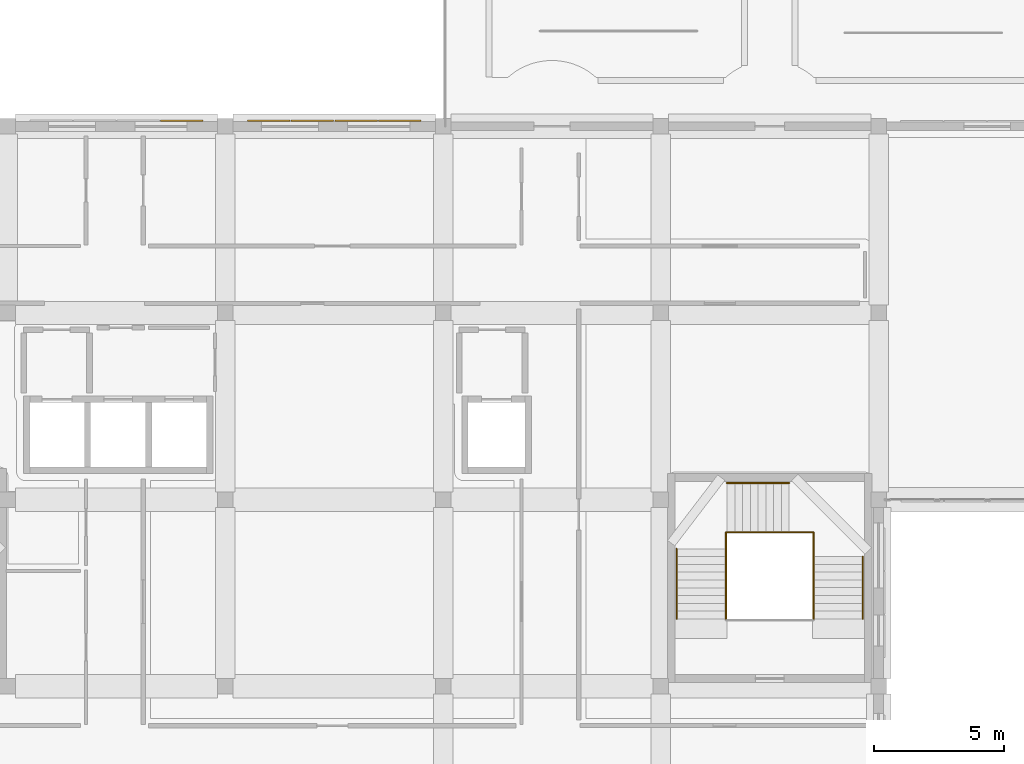
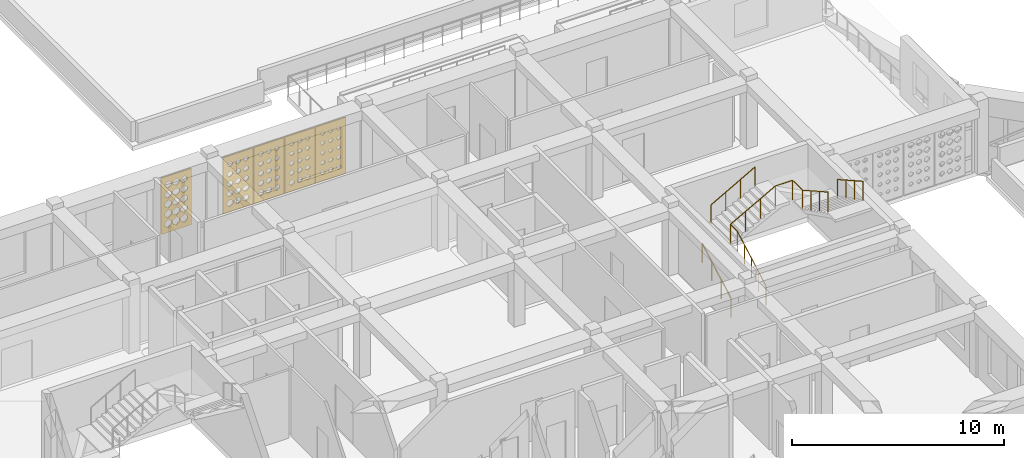
# One storey, part 44 of 48: 6 railings, 5 coverings.
"""IFC4 building model written with IfcOpenShell, lengths in metres."""

from ifc_helpers import new_model, si_unit, derived_unit, direction, frame, origin, origin_2d, place, context, subcontext, project, spatial, polyline, circle, outline, extrude, material, layer, layer_set, type_object, element, save


model = new_model("IFC4")

# Units and contexts
model_context = context("Model", 3, precision=1e-05, world=origin(), true_north=direction((0.0, 1.0)))
body_context = subcontext(model_context, "Body", "Model", "MODEL_VIEW")
ifc_project = project(units=[si_unit("LENGTHUNIT", "METRE"), si_unit("AREAUNIT", "SQUARE_METRE"), si_unit("VOLUMEUNIT", "CUBIC_METRE"), si_unit("PLANEANGLEUNIT", "RADIAN"), si_unit("MASSUNIT", "GRAM", prefix="KILO"), derived_unit("THERMALTRANSMITTANCEUNIT", [(si_unit("POWERUNIT", "WATT"), 1), (si_unit("LENGTHUNIT", "METRE"), -2), (si_unit("THERMODYNAMICTEMPERATUREUNIT", "KELVIN"), -1)])], contexts=[model_context])

# Site, building, storey
site_placement = place(None, origin())
site = spatial("IfcSite", under=ifc_project, at=site_placement, CompositionType="ELEMENT")
building_placement = place(site_placement, origin())
building = spatial("IfcBuilding", under=site, at=building_placement, Name="Veybourne Emporium", CompositionType="ELEMENT")
storey_placement = place(building_placement, frame((0.0, 0.0, 27.89990234375)))
storey = spatial("IfcBuildingStorey", under=building, at=storey_placement, Name="L06", CompositionType="ELEMENT", Elevation=27.89990234375)

# Railings
ifc_material_1 = material(Name="Brushed Stainless Steel", Category="steel")
railing_type_1 = type_object("IfcRailingType", Name="Guard_GR-01", PredefinedType="GUARDRAIL", material=ifc_material_1)
railing_1_placement = place(storey_placement, frame((44.510009765625, 31.39990234375, 0.0)))
element("IfcRailing", 1, at=railing_1_placement, inside=storey, type_object=railing_type_1, Name="L06 ST-05 stair guard 1", PredefinedType="GUARDRAIL", context=body_context, shape_type="SweptSolid", body=[
    extrude(circle(Radius=0.02392578125, at=origin_2d()), frame((0.0, 0.0, 1.1259765625), z_axis=(0.0, 0.874172188743, 0.48561608749), x_axis=(-1.0, 0.0, 0.0)), (0.0, 0.0, 1.0), 3.0888671875),
    extrude(circle(Radius=0.02392578125, at=origin_2d()), frame((0.0, 2.7001953125, 2.6259765625), z_axis=(0.0, 1.0, 0.0), x_axis=(-1.0, 0.0, 0.0)), (0.0, 0.0, 1.0), 0.639892578125),
    extrude(circle(Radius=0.02099609375, at=origin_2d()), origin(), (0.0, 0.0, 1.0), 1.101806640625),
    extrude(circle(Radius=0.02099609375, at=origin_2d()), frame((0.0, 0.675048828125, 0.375)), (0.0, 0.0, 1.0), 1.101806640625),
    extrude(circle(Radius=0.02099609375, at=origin_2d()), frame((0.0, 1.35009765625, 0.75)), (0.0, 0.0, 1.0), 1.101806640625),
    extrude(circle(Radius=0.02099609375, at=origin_2d()), frame((0.0, 2.025146484375, 1.125)), (0.0, 0.0, 1.0), 1.101806640625),
    extrude(circle(Radius=0.02099609375, at=origin_2d()), frame((0.0, 2.7001953125, 1.5)), (0.0, 0.0, 1.0), 1.101806640625),
    extrude(circle(Radius=0.02099609375, at=origin_2d()), frame((0.0, 3.340087890625, 1.5)), (0.0, 0.0, 1.0), 1.101806640625),
])
railing_2_placement = place(storey_placement, frame((44.510009765625, 34.739990234375, 1.5)))
element("IfcRailing", 2, at=railing_2_placement, inside=storey, type_object=railing_type_1, Name="L06 ST-05 stair guard 2", PredefinedType="GUARDRAIL", context=body_context, shape_type="SweptSolid", body=[
    extrude(circle(Radius=0.02392578125, at=origin_2d()), frame((0.0, 0.0, 1.1259765625), z_axis=(0.874981962121, 0.0, 0.484155518364), x_axis=(0.0, 1.0, 0.0)), (0.0, 0.0, 1.0), 2.78857421875),
    extrude(circle(Radius=0.02392578125, at=origin_2d()), frame((2.43994140625, 0.0, 2.47607421875), z_axis=(1.0, 0.0, 0.0), x_axis=(0.0, 1.0, 0.0)), (0.0, 0.0, 1.0), 0.93994140625),
    extrude(circle(Radius=0.02099609375, at=origin_2d()), origin(), (0.0, 0.0, 1.0), 1.101806640625),
    extrude(circle(Radius=0.02099609375, at=origin_2d()), frame((0.813232421875, 0.0, 0.449951171875)), (0.0, 0.0, 1.0), 1.101806640625),
    extrude(circle(Radius=0.02099609375, at=origin_2d()), frame((1.626708984375, 0.0, 0.900146484375)), (0.0, 0.0, 1.0), 1.101806640625),
    extrude(circle(Radius=0.02099609375, at=origin_2d()), frame((2.43994140625, 0.0, 1.35009765625)), (0.0, 0.0, 1.0), 1.101806640625),
    extrude(circle(Radius=0.02099609375, at=origin_2d()), frame((3.3798828125, 0.0, 1.35009765625)), (0.0, 0.0, 1.0), 1.101806640625),
])
railing_3_placement = place(storey_placement, frame((47.889892578125, 34.739990234375, 2.85009765625)))
element("IfcRailing", 3, at=railing_3_placement, inside=storey, type_object=railing_type_1, Name="L06 ST-05 stair guard 3", PredefinedType="GUARDRAIL", context=body_context, shape_type="SweptSolid", body=[
    extrude(circle(Radius=0.02392578125, at=origin_2d()), frame((0.0, 0.0, 1.1259765625), z_axis=(0.0, -1.0, 0.0), x_axis=(1.0, 0.0, 0.0)), (0.0, 0.0, 1.0), 0.93994140625),
    extrude(circle(Radius=0.02392578125, at=origin_2d()), frame((0.0, -0.93994140625, 1.1259765625), z_axis=(0.0, -0.871573169458, 0.490265448795), x_axis=(1.0, 0.0, 0.0)), (0.0, 0.0, 1.0), 2.75390625),
    extrude(circle(Radius=0.02099609375, at=origin_2d()), origin(), (0.0, 0.0, 1.0), 1.101806640625),
    extrude(circle(Radius=0.02099609375, at=origin_2d()), frame((0.0, -0.93994140625, 0.0)), (0.0, 0.0, 1.0), 1.101806640625),
    extrude(circle(Radius=0.02099609375, at=origin_2d()), frame((0.0, -1.739990234375, 0.449951171875)), (0.0, 0.0, 1.0), 1.101806640625),
    extrude(circle(Radius=0.02099609375, at=origin_2d()), frame((0.0, -2.5400390625, 0.900146484375)), (0.0, 0.0, 1.0), 1.101806640625),
    extrude(circle(Radius=0.02099609375, at=origin_2d()), frame((0.0, -3.340087890625, 1.35009765625)), (0.0, 0.0, 1.0), 1.101806640625),
])
railing_type_2 = type_object("IfcRailingType", Name="Handrail_HR-01", PredefinedType="HANDRAIL", material=ifc_material_1)
railing_4_placement = place(storey_placement, frame((42.610107421875, 31.39990234375, 0.150146484375)))
element("IfcRailing", 4, at=railing_4_placement, inside=storey, type_object=railing_type_2, Name="L06 ST-05 pitch handrail 1", PredefinedType="HANDRAIL", context=body_context, shape_type="SweptSolid", body=[
    extrude(circle(Radius=0.02392578125, at=origin_2d()), frame((0.0, 0.0, 0.92578125), z_axis=(0.0, 0.874172188743, 0.48561608749), x_axis=(-1.0, 0.0, 0.0)), (0.0, 0.0, 1.0), 3.0888671875),
    extrude(circle(Radius=0.02099609375, at=origin_2d()), frame((0.0, 0.0, -0.14990234375)), (0.0, 0.0, 1.0), 1.0517578125),
    extrude(circle(Radius=0.02099609375, at=origin_2d()), frame((0.0, 0.900146484375, 0.35009765625)), (0.0, 0.0, 1.0), 1.0517578125),
    extrude(circle(Radius=0.02099609375, at=origin_2d()), frame((0.0, 1.800048828125, 0.85009765625)), (0.0, 0.0, 1.0), 1.0517578125),
    extrude(circle(Radius=0.02099609375, at=origin_2d()), frame((0.0, 2.7001953125, 1.35009765625)), (0.0, 0.0, 1.0), 1.0517578125),
])
railing_5_placement = place(storey_placement, frame((44.550048828125, 36.639892578125, 1.650146484375)))
element("IfcRailing", 5, at=railing_5_placement, inside=storey, type_object=railing_type_2, Name="L06 ST-05 pitch handrail 2", PredefinedType="HANDRAIL", context=body_context, shape_type="SweptSolid", body=[
    extrude(circle(Radius=0.02392578125, at=origin_2d()), frame((0.0, 0.0, 0.92578125), z_axis=(0.871589744415, 0.0, 0.49023598137), x_axis=(0.0, 1.0, 0.0)), (0.0, 0.0, 1.0), 2.75341796875),
    extrude(circle(Radius=0.02099609375, at=origin_2d()), frame((0.0, 0.0, -0.14990234375)), (0.0, 0.0, 1.0), 1.0517578125),
    extrude(circle(Radius=0.02099609375, at=origin_2d()), frame((0.800048828125, 0.0, 0.300048828125)), (0.0, 0.0, 1.0), 1.0517578125),
    extrude(circle(Radius=0.02099609375, at=origin_2d()), frame((1.599853515625, 0.0, 0.75)), (0.0, 0.0, 1.0), 1.0517578125),
    extrude(circle(Radius=0.02099609375, at=origin_2d()), frame((2.39990234375, 0.0, 1.199951171875)), (0.0, 0.0, 1.0), 1.0517578125),
])
railing_6_placement = place(storey_placement, frame((49.7900390625, 33.800048828125, 3.0)))
element("IfcRailing", 6, at=railing_6_placement, inside=storey, type_object=railing_type_2, Name="L06 ST-05 pitch handrail 3", PredefinedType="HANDRAIL", context=body_context, shape_type="SweptSolid", body=[
    extrude(circle(Radius=0.02392578125, at=origin_2d()), frame((0.0, 0.0, 0.92578125), z_axis=(0.0, -0.871573169458, 0.490265448795), x_axis=(1.0, 0.0, 0.0)), (0.0, 0.0, 1.0), 2.75390625),
    extrude(circle(Radius=0.02099609375, at=origin_2d()), frame((0.0, 0.0, -0.14990234375)), (0.0, 0.0, 1.0), 1.0517578125),
    extrude(circle(Radius=0.02099609375, at=origin_2d()), frame((0.0, -0.800048828125, 0.300048828125)), (0.0, 0.0, 1.0), 1.0517578125),
    extrude(circle(Radius=0.02099609375, at=origin_2d()), frame((0.0, -1.60009765625, 0.750244140625)), (0.0, 0.0, 1.0), 1.0517578125),
    extrude(circle(Radius=0.02099609375, at=origin_2d()), frame((0.0, -2.400146484375, 1.2001953125)), (0.0, 0.0, 1.0), 1.0517578125),
])

# Coverings
ifc_material_2 = material(Name="Warm-White Perforated Aluminium Screen Alloy", Category="aluminium")
ifc_layer_1 = layer(ifc_material_2, 0.06005859375)
ifc_layer_set_1 = layer_set([ifc_layer_1], Name="Warm-White Perforated Aluminium Screen Alloy")
covering_type_1 = type_object("IfcCoveringType", Name="WaveScreen_SCR-01", PredefinedType="CLADDING", material=ifc_layer_set_1)
covering_1_placement = place(storey_placement, frame((31.919921875, 50.64794921875, 1.68017578125), z_axis=(0.0, -1.0, 0.0), x_axis=(1.0, 0.0, 0.0)))
element("IfcCovering", 7, at=covering_1_placement, inside=storey, type_object=covering_type_1, Name="L06 wave-perforated aluminium screen SCR-01 (14.4)", PredefinedType="CLADDING", context=body_context, shape_type="SweptSolid", body=[
    extrude(outline(polyline([(-0.81982421875, -1.6201171875), (0.81982421875, -1.6201171875), (0.81982421875, 1.6201171875), (-0.81982421875, 1.6201171875), (-0.81982421875, -1.6201171875)]), holes=[polyline([(-0.433349609375, -0.984130859375), (-0.312255859375, -1.071044921875), (-0.312255859375, -1.1689453125), (-0.433349609375, -1.255859375), (-0.554443359375, -1.1689453125), (-0.554443359375, -1.071044921875), (-0.433349609375, -0.984130859375)]), polyline([(-0.433349609375, -0.432861328125), (-0.3193359375, -0.51416015625), (-0.3193359375, -0.605712890625), (-0.433349609375, -0.687255859375), (-0.54736328125, -0.605712890625), (-0.54736328125, -0.51416015625), (-0.433349609375, -0.432861328125)]), polyline([(-0.433349609375, 0.1201171875), (-0.324951171875, 0.043212890625), (-0.324951171875, -0.043212890625), (-0.433349609375, -0.1201171875), (-0.54150390625, -0.043212890625), (-0.54150390625, 0.043212890625), (-0.433349609375, 0.1201171875)]), polyline([(-0.433349609375, 0.6748046875), (-0.329345703125, 0.601318359375), (-0.329345703125, 0.518798828125), (-0.433349609375, 0.4453125), (-0.537353515625, 0.518798828125), (-0.537353515625, 0.601318359375), (-0.433349609375, 0.6748046875)]), polyline([(-0.433349609375, 1.2314453125), (-0.332275390625, 1.16015625), (-0.332275390625, 1.079833984375), (-0.433349609375, 1.008544921875), (-0.534423828125, 1.079833984375), (-0.534423828125, 1.16015625), (-0.433349609375, 1.2314453125)]), polyline([(0.0, -0.988525390625), (0.117431640625, -1.07275390625), (0.117431640625, -1.167236328125), (0.0, -1.25146484375), (-0.117431640625, -1.167236328125), (-0.117431640625, -1.07275390625), (0.0, -0.988525390625)]), polyline([(0.0, -0.4365234375), (0.111083984375, -0.515625), (0.111083984375, -0.6044921875), (0.0, -0.68359375), (-0.111083984375, -0.6044921875), (-0.111083984375, -0.515625), (0.0, -0.4365234375)]), polyline([(0.0, 0.1171875), (0.10595703125, 0.042236328125), (0.10595703125, -0.042236328125), (0.0, -0.1171875), (-0.10595703125, -0.042236328125), (-0.10595703125, 0.042236328125), (0.0, 0.1171875)]), polyline([(0.0, 0.6728515625), (0.102294921875, 0.6005859375), (0.102294921875, 0.519287109375), (0.0, 0.447021484375), (-0.102294921875, 0.519287109375), (-0.102294921875, 0.6005859375), (0.0, 0.6728515625)]), polyline([(0.0, 1.23046875), (0.100341796875, 1.159912109375), (0.100341796875, 1.080078125), (0.0, 1.009521484375), (-0.100341796875, 1.080078125), (-0.100341796875, 1.159912109375), (0.0, 1.23046875)]), polyline([(0.433349609375, -0.992919921875), (0.54736328125, -1.07421875), (0.54736328125, -1.165771484375), (0.433349609375, -1.247314453125), (0.319091796875, -1.165771484375), (0.319091796875, -1.07421875), (0.433349609375, -0.992919921875)]), polyline([(0.433349609375, -0.439697265625), (0.54150390625, -0.5166015625), (0.54150390625, -0.603271484375), (0.433349609375, -0.68017578125), (0.324951171875, -0.603271484375), (0.324951171875, -0.5166015625), (0.433349609375, -0.439697265625)]), polyline([(0.433349609375, 0.114990234375), (0.537353515625, 0.041259765625), (0.537353515625, -0.041259765625), (0.433349609375, -0.114990234375), (0.329345703125, -0.041259765625), (0.329345703125, 0.041259765625), (0.433349609375, 0.114990234375)]), polyline([(0.433349609375, 0.67138671875), (0.534423828125, 0.60009765625), (0.534423828125, 0.52001953125), (0.433349609375, 0.448486328125), (0.33203125, 0.52001953125), (0.33203125, 0.60009765625), (0.433349609375, 0.67138671875)]), polyline([(0.433349609375, 1.22998046875), (0.533447265625, 1.15966796875), (0.533447265625, 1.080322265625), (0.433349609375, 1.010009765625), (0.333251953125, 1.080322265625), (0.333251953125, 1.15966796875), (0.433349609375, 1.22998046875)])]), origin(), (0.0, 0.0, 1.0), 0.06005859375),
])
ifc_layer_2 = layer(ifc_material_2, 0.06005859375)
ifc_layer_set_2 = layer_set([ifc_layer_2], Name="Warm-White Perforated Aluminium Screen Alloy")
covering_type_2 = type_object("IfcCoveringType", Name="WaveScreen_SCR-02", PredefinedType="CLADDING", material=ifc_layer_set_2)
covering_2_placement = place(storey_placement, frame((26.8798828125, 50.64794921875, 1.68017578125), z_axis=(0.0, -1.0, 0.0), x_axis=(1.0, 0.0, 0.0)))
element("IfcCovering", 8, at=covering_2_placement, inside=storey, type_object=covering_type_2, Name="L06 wave-perforated aluminium screen SCR-02 (14.1)", PredefinedType="CLADDING", context=body_context, shape_type="SweptSolid", body=[
    extrude(outline(polyline([(-0.81982421875, -1.6201171875), (0.81982421875, -1.6201171875), (0.81982421875, 1.6201171875), (-0.81982421875, 1.6201171875), (-0.81982421875, -1.6201171875)]), holes=[polyline([(-0.433349609375, -0.9150390625), (-0.255615234375, -1.046142578125), (-0.255615234375, -1.19384765625), (-0.433349609375, -1.324951171875), (-0.611083984375, -1.19384765625), (-0.611083984375, -1.046142578125), (-0.433349609375, -0.9150390625)]), polyline([(-0.433349609375, -0.367919921875), (-0.26611328125, -0.490966796875), (-0.26611328125, -0.629150390625), (-0.433349609375, -0.751953125), (-0.600341796875, -0.629150390625), (-0.600341796875, -0.490966796875), (-0.433349609375, -0.367919921875)]), polyline([(-0.433349609375, 0.17919921875), (-0.27685546875, 0.064453125), (-0.27685546875, -0.064453125), (-0.433349609375, -0.17919921875), (-0.58984375, -0.064453125), (-0.58984375, 0.064453125), (-0.433349609375, 0.17919921875)]), polyline([(-0.433349609375, 0.7265625), (-0.287109375, 0.6201171875), (-0.287109375, 0.5), (-0.433349609375, 0.393310546875), (-0.57958984375, 0.5), (-0.57958984375, 0.6201171875), (-0.433349609375, 0.7265625)]), polyline([(-0.433349609375, 1.274658203125), (-0.296875, 1.17578125), (-0.296875, 1.064208984375), (-0.433349609375, 0.96533203125), (-0.56982421875, 1.064208984375), (-0.56982421875, 1.17578125), (-0.433349609375, 1.274658203125)]), polyline([(0.0, -0.92138671875), (0.17236328125, -1.048583984375), (0.17236328125, -1.19140625), (0.0, -1.318603515625), (-0.17236328125, -1.19140625), (-0.17236328125, -1.048583984375), (0.0, -0.92138671875)]), polyline([(0.0, -0.37451171875), (0.161865234375, -0.4931640625), (0.161865234375, -0.626708984375), (0.0, -0.74560546875), (-0.161865234375, -0.626708984375), (-0.161865234375, -0.4931640625), (0.0, -0.37451171875)]), polyline([(0.0, 0.1728515625), (0.1513671875, 0.062255859375), (0.1513671875, -0.062255859375), (0.0, -0.1728515625), (-0.1513671875, -0.062255859375), (-0.1513671875, 0.062255859375), (0.0, 0.1728515625)]), polyline([(0.0, 0.720458984375), (0.141357421875, 0.617919921875), (0.141357421875, 0.502197265625), (0.0, 0.3994140625), (-0.141357421875, 0.502197265625), (-0.141357421875, 0.617919921875), (0.0, 0.720458984375)]), polyline([(0.0, 1.26904296875), (0.132080078125, 1.173583984375), (0.132080078125, 1.06640625), (0.0, 0.970947265625), (-0.132080078125, 1.06640625), (-0.132080078125, 1.173583984375), (0.0, 1.26904296875)]), polyline([(0.433349609375, -0.927978515625), (0.6005859375, -1.05078125), (0.6005859375, -1.189208984375), (0.433349609375, -1.31201171875), (0.26611328125, -1.189208984375), (0.26611328125, -1.05078125), (0.433349609375, -0.927978515625)]), polyline([(0.433349609375, -0.380859375), (0.58984375, -0.49560546875), (0.58984375, -0.62451171875), (0.433349609375, -0.7392578125), (0.276611328125, -0.62451171875), (0.276611328125, -0.49560546875), (0.433349609375, -0.380859375)]), polyline([(0.433349609375, 0.16650390625), (0.57958984375, 0.06005859375), (0.57958984375, -0.06005859375), (0.433349609375, -0.16650390625), (0.287109375, -0.06005859375), (0.287109375, 0.06005859375), (0.433349609375, 0.16650390625)]), polyline([(0.433349609375, 0.714599609375), (0.56982421875, 0.61572265625), (0.56982421875, 0.50439453125), (0.433349609375, 0.4052734375), (0.296630859375, 0.50439453125), (0.296630859375, 0.61572265625), (0.433349609375, 0.714599609375)]), polyline([(0.433349609375, 1.263671875), (0.560791015625, 1.171630859375), (0.560791015625, 1.068359375), (0.433349609375, 0.976318359375), (0.3056640625, 1.068359375), (0.3056640625, 1.171630859375), (0.433349609375, 1.263671875)])]), origin(), (0.0, 0.0, 1.0), 0.06005859375),
])
ifc_layer_3 = layer(ifc_material_2, 0.06005859375)
ifc_layer_set_3 = layer_set([ifc_layer_3], Name="Warm-White Perforated Aluminium Screen Alloy")
covering_type_3 = type_object("IfcCoveringType", Name="WaveScreen_SCR-03", PredefinedType="CLADDING", material=ifc_layer_set_3)
covering_3_placement = place(storey_placement, frame((23.52001953125, 50.64794921875, 1.68017578125), z_axis=(0.0, -1.0, 0.0), x_axis=(1.0, 0.0, 0.0)))
element("IfcCovering", 9, at=covering_3_placement, inside=storey, type_object=covering_type_3, Name="L06 wave-perforated aluminium screen SCR-03 (12.4)", PredefinedType="CLADDING", context=body_context, shape_type="SweptSolid", body=[
    extrude(outline(polyline([(-0.81982421875, -1.6201171875), (0.81982421875, -1.6201171875), (0.81982421875, 1.6201171875), (-0.81982421875, 1.6201171875), (-0.81982421875, -1.6201171875)]), holes=[polyline([(-0.433349609375, -0.879150390625), (-0.2470703125, -1.033203125), (-0.2470703125, -1.206787109375), (-0.433349609375, -1.36083984375), (-0.61962890625, -1.206787109375), (-0.61962890625, -1.033203125), (-0.433349609375, -0.879150390625)]), polyline([(-0.433349609375, -0.321044921875), (-0.2470703125, -0.47412109375), (-0.2470703125, -0.64599609375), (-0.433349609375, -0.799072265625), (-0.61962890625, -0.64599609375), (-0.61962890625, -0.47412109375), (-0.433349609375, -0.321044921875)]), polyline([(-0.433349609375, 0.227783203125), (-0.2470703125, 0.08203125), (-0.2470703125, -0.08203125), (-0.433349609375, -0.227783203125), (-0.61962890625, -0.08203125), (-0.61962890625, 0.08203125), (-0.433349609375, 0.227783203125)]), polyline([(-0.433349609375, 0.775634765625), (-0.2470703125, 0.6376953125), (-0.2470703125, 0.482421875), (-0.433349609375, 0.34423828125), (-0.61962890625, 0.482421875), (-0.61962890625, 0.6376953125), (-0.433349609375, 0.775634765625)]), polyline([(-0.433349609375, 1.322998046875), (-0.257080078125, 1.193115234375), (-0.257080078125, 1.046875), (-0.433349609375, 0.9169921875), (-0.609619140625, 1.046875), (-0.609619140625, 1.193115234375), (-0.433349609375, 1.322998046875)]), polyline([(0.0, -0.879150390625), (0.186279296875, -1.033203125), (0.186279296875, -1.206787109375), (0.0, -1.36083984375), (-0.186279296875, -1.206787109375), (-0.186279296875, -1.033203125), (0.0, -0.879150390625)]), polyline([(0.0, -0.326416015625), (0.186279296875, -0.475830078125), (0.186279296875, -0.64404296875), (0.0, -0.79345703125), (-0.186279296875, -0.64404296875), (-0.186279296875, -0.475830078125), (0.0, -0.326416015625)]), polyline([(0.0, 0.221923828125), (0.186279296875, 0.079833984375), (0.186279296875, -0.079833984375), (0.0, -0.221923828125), (-0.186279296875, -0.079833984375), (-0.186279296875, 0.079833984375), (0.0, 0.221923828125)]), polyline([(0.0, 0.76953125), (0.181396484375, 0.635498046875), (0.181396484375, 0.484619140625), (0.0, 0.3505859375), (-0.181396484375, 0.484619140625), (-0.181396484375, 0.635498046875), (0.0, 0.76953125)]), polyline([(0.0, 1.316650390625), (0.1708984375, 1.19091796875), (0.1708984375, 1.04931640625), (0.0, 0.92333984375), (-0.1708984375, 1.04931640625), (-0.1708984375, 1.19091796875), (0.0, 1.316650390625)]), polyline([(0.433349609375, -0.881103515625), (0.61962890625, -1.033935546875), (0.61962890625, -1.2060546875), (0.433349609375, -1.35888671875), (0.2470703125, -1.2060546875), (0.2470703125, -1.033935546875), (0.433349609375, -0.881103515625)]), polyline([(0.433349609375, -0.332275390625), (0.61962890625, -0.47802734375), (0.61962890625, -0.64208984375), (0.433349609375, -0.787841796875), (0.2470703125, -0.64208984375), (0.2470703125, -0.47802734375), (0.433349609375, -0.332275390625)]), polyline([(0.433349609375, 0.2158203125), (0.61962890625, 0.07763671875), (0.61962890625, -0.07763671875), (0.433349609375, -0.2158203125), (0.2470703125, -0.07763671875), (0.2470703125, 0.07763671875), (0.433349609375, 0.2158203125)]), polyline([(0.433349609375, 0.76318359375), (0.609619140625, 0.633056640625), (0.609619140625, 0.48681640625), (0.433349609375, 0.35693359375), (0.257080078125, 0.48681640625), (0.257080078125, 0.633056640625), (0.433349609375, 0.76318359375)]), polyline([(0.433349609375, 1.310302734375), (0.59912109375, 1.1884765625), (0.59912109375, 1.051513671875), (0.433349609375, 0.9296875), (0.267578125, 1.051513671875), (0.267578125, 1.1884765625), (0.433349609375, 1.310302734375)])]), origin(), (0.0, 0.0, 1.0), 0.06005859375),
])
covering_4_placement = place(storey_placement, frame((28.56005859375, 50.64794921875, 1.68017578125), z_axis=(0.0, -1.0, 0.0), x_axis=(1.0, 0.0, 0.0)))
element("IfcCovering", 10, at=covering_4_placement, inside=storey, type_object=covering_type_3, Name="L06 wave-perforated aluminium screen SCR-03 (14.2)", PredefinedType="CLADDING", context=body_context, shape_type="SweptSolid", body=[
    extrude(outline(polyline([(-0.81982421875, -1.6201171875), (0.81982421875, -1.6201171875), (0.81982421875, 1.6201171875), (-0.81982421875, 1.6201171875), (-0.81982421875, -1.6201171875)]), holes=[polyline([(-0.433349609375, -0.93994140625), (-0.27587890625, -1.05517578125), (-0.27587890625, -1.184814453125), (-0.433349609375, -1.300048828125), (-0.590576171875, -1.184814453125), (-0.590576171875, -1.05517578125), (-0.433349609375, -0.93994140625)]), polyline([(-0.433349609375, -0.392578125), (-0.286376953125, -0.499755859375), (-0.286376953125, -0.620361328125), (-0.433349609375, -0.7275390625), (-0.580322265625, -0.620361328125), (-0.580322265625, -0.499755859375), (-0.433349609375, -0.392578125)]), polyline([(-0.433349609375, 0.155517578125), (-0.296142578125, 0.055908203125), (-0.296142578125, -0.055908203125), (-0.433349609375, -0.155517578125), (-0.570556640625, -0.055908203125), (-0.570556640625, 0.055908203125), (-0.433349609375, 0.155517578125)]), polyline([(-0.433349609375, 0.704345703125), (-0.30517578125, 0.612060546875), (-0.30517578125, 0.508056640625), (-0.433349609375, 0.41552734375), (-0.5615234375, 0.508056640625), (-0.5615234375, 0.612060546875), (-0.433349609375, 0.704345703125)]), polyline([(-0.433349609375, 1.25439453125), (-0.313232421875, 1.16845703125), (-0.313232421875, 1.071533203125), (-0.433349609375, 0.985595703125), (-0.553466796875, 1.071533203125), (-0.553466796875, 1.16845703125), (-0.433349609375, 1.25439453125)]), polyline([(0.0, -0.9462890625), (0.152099609375, -1.0576171875), (0.152099609375, -1.1826171875), (0.0, -1.293701171875), (-0.152099609375, -1.1826171875), (-0.152099609375, -1.0576171875), (0.0, -0.9462890625)]), polyline([(0.0, -0.398681640625), (0.14208984375, -0.501953125), (0.14208984375, -0.6181640625), (0.0, -0.721435546875), (-0.14208984375, -0.6181640625), (-0.14208984375, -0.501953125), (0.0, -0.398681640625)]), polyline([(0.0, 0.14990234375), (0.132568359375, 0.053955078125), (0.132568359375, -0.053955078125), (0.0, -0.14990234375), (-0.132568359375, -0.053955078125), (-0.132568359375, 0.053955078125), (0.0, 0.14990234375)]), polyline([(0.0, 0.69921875), (0.1240234375, 0.610107421875), (0.1240234375, 0.509765625), (0.0, 0.420654296875), (-0.1240234375, 0.509765625), (-0.1240234375, 0.610107421875), (0.0, 0.69921875)]), polyline([(0.0, 1.25), (0.116455078125, 1.1669921875), (0.116455078125, 1.072998046875), (0.0, 0.989990234375), (-0.116455078125, 1.072998046875), (-0.116455078125, 1.1669921875), (0.0, 1.25)]), polyline([(0.433349609375, -0.952392578125), (0.580322265625, -1.059814453125), (0.580322265625, -1.180419921875), (0.433349609375, -1.28759765625), (0.286376953125, -1.180419921875), (0.286376953125, -1.059814453125), (0.433349609375, -0.952392578125)]), polyline([(0.433349609375, -0.404541015625), (0.570556640625, -0.50390625), (0.570556640625, -0.615966796875), (0.433349609375, -0.715576171875), (0.296142578125, -0.615966796875), (0.296142578125, -0.50390625), (0.433349609375, -0.404541015625)]), polyline([(0.433349609375, 0.14453125), (0.5615234375, 0.052001953125), (0.5615234375, -0.052001953125), (0.433349609375, -0.14453125), (0.30517578125, -0.052001953125), (0.30517578125, 0.052001953125), (0.433349609375, 0.14453125)]), polyline([(0.433349609375, 0.694580078125), (0.553466796875, 0.6083984375), (0.553466796875, 0.511474609375), (0.433349609375, 0.42529296875), (0.313232421875, 0.511474609375), (0.313232421875, 0.6083984375), (0.433349609375, 0.694580078125)]), polyline([(0.433349609375, 1.24609375), (0.54638671875, 1.165283203125), (0.54638671875, 1.07470703125), (0.433349609375, 0.993896484375), (0.320068359375, 1.07470703125), (0.320068359375, 1.165283203125), (0.433349609375, 1.24609375)])]), origin(), (0.0, 0.0, 1.0), 0.06005859375),
])
ifc_layer_4 = layer(ifc_material_2, 0.06005859375)
ifc_layer_set_4 = layer_set([ifc_layer_4], Name="Warm-White Perforated Aluminium Screen Alloy")
covering_type_4 = type_object("IfcCoveringType", Name="WaveScreen_SCR-04", PredefinedType="CLADDING", material=ifc_layer_set_4)
covering_5_placement = place(storey_placement, frame((30.239990234375, 50.64794921875, 1.68017578125), z_axis=(0.0, -1.0, 0.0), x_axis=(1.0, 0.0, 0.0)))
element("IfcCovering", 11, at=covering_5_placement, inside=storey, type_object=covering_type_4, Name="L06 wave-perforated aluminium screen SCR-04 (14.3)", PredefinedType="CLADDING", context=body_context, shape_type="SweptSolid", body=[
    extrude(outline(polyline([(-0.81982421875, -1.6201171875), (0.81982421875, -1.6201171875), (0.81982421875, 1.6201171875), (-0.81982421875, 1.6201171875), (-0.81982421875, -1.6201171875)]), holes=[polyline([(-0.433349609375, -0.963623046875), (-0.29541015625, -1.063720703125), (-0.29541015625, -1.17626953125), (-0.433349609375, -1.2763671875), (-0.5712890625, -1.17626953125), (-0.5712890625, -1.063720703125), (-0.433349609375, -0.963623046875)]), polyline([(-0.433349609375, -0.414794921875), (-0.3046875, -0.5078125), (-0.3046875, -0.6123046875), (-0.433349609375, -0.705078125), (-0.56201171875, -0.6123046875), (-0.56201171875, -0.5078125), (-0.433349609375, -0.414794921875)]), polyline([(-0.433349609375, 0.13525390625), (-0.312744140625, 0.048583984375), (-0.312744140625, -0.048583984375), (-0.433349609375, -0.13525390625), (-0.553955078125, -0.048583984375), (-0.553955078125, 0.048583984375), (-0.433349609375, 0.13525390625)]), polyline([(-0.433349609375, 0.6865234375), (-0.319580078125, 0.605712890625), (-0.319580078125, 0.514404296875), (-0.433349609375, 0.433349609375), (-0.546875, 0.514404296875), (-0.546875, 0.605712890625), (-0.433349609375, 0.6865234375)]), polyline([(-0.433349609375, 1.23974609375), (-0.325439453125, 1.1630859375), (-0.325439453125, 1.076904296875), (-0.433349609375, 1.000244140625), (-0.541259765625, 1.076904296875), (-0.541259765625, 1.1630859375), (-0.433349609375, 1.23974609375)]), polyline([(0.0, -0.969482421875), (0.13330078125, -1.06591796875), (0.13330078125, -1.17431640625), (0.0, -1.2705078125), (-0.13330078125, -1.17431640625), (-0.13330078125, -1.06591796875), (0.0, -0.969482421875)]), polyline([(0.0, -0.419921875), (0.12451171875, -0.509521484375), (0.12451171875, -0.6103515625), (0.0, -0.7001953125), (-0.12451171875, -0.6103515625), (-0.12451171875, -0.509521484375), (0.0, -0.419921875)]), polyline([(0.0, 0.130859375), (0.116943359375, 0.047119140625), (0.116943359375, -0.047119140625), (0.0, -0.130859375), (-0.116943359375, -0.047119140625), (-0.116943359375, 0.047119140625), (0.0, 0.130859375)]), polyline([(0.0, 0.68310546875), (0.110595703125, 0.604248046875), (0.110595703125, 0.515625), (0.0, 0.43701171875), (-0.110595703125, 0.515625), (-0.110595703125, 0.604248046875), (0.0, 0.68310546875)]), polyline([(0.0, 1.23681640625), (0.105712890625, 1.162109375), (0.105712890625, 1.077880859375), (0.0, 1.003173828125), (-0.105712890625, 1.077880859375), (-0.105712890625, 1.162109375), (0.0, 1.23681640625)]), polyline([(0.433349609375, -0.974853515625), (0.562255859375, -1.067626953125), (0.562255859375, -1.17236328125), (0.433349609375, -1.26513671875), (0.304443359375, -1.17236328125), (0.304443359375, -1.067626953125), (0.433349609375, -0.974853515625)]), polyline([(0.433349609375, -0.4248046875), (0.553955078125, -0.51123046875), (0.553955078125, -0.608642578125), (0.433349609375, -0.6953125), (0.312744140625, -0.608642578125), (0.312744140625, -0.51123046875), (0.433349609375, -0.4248046875)]), polyline([(0.433349609375, 0.126708984375), (0.547119140625, 0.045654296875), (0.547119140625, -0.045654296875), (0.433349609375, -0.126708984375), (0.319580078125, -0.045654296875), (0.319580078125, 0.045654296875), (0.433349609375, 0.126708984375)]), polyline([(0.433349609375, 0.6796875), (0.541259765625, 0.60302734375), (0.541259765625, 0.516845703125), (0.433349609375, 0.440185546875), (0.325439453125, 0.516845703125), (0.325439453125, 0.60302734375), (0.433349609375, 0.6796875)]), polyline([(0.433349609375, 1.234619140625), (0.537109375, 1.1611328125), (0.537109375, 1.078857421875), (0.433349609375, 1.005615234375), (0.32958984375, 1.078857421875), (0.32958984375, 1.1611328125), (0.433349609375, 1.234619140625)])]), origin(), (0.0, 0.0, 1.0), 0.06005859375),
])

save(model, "model.ifc")
